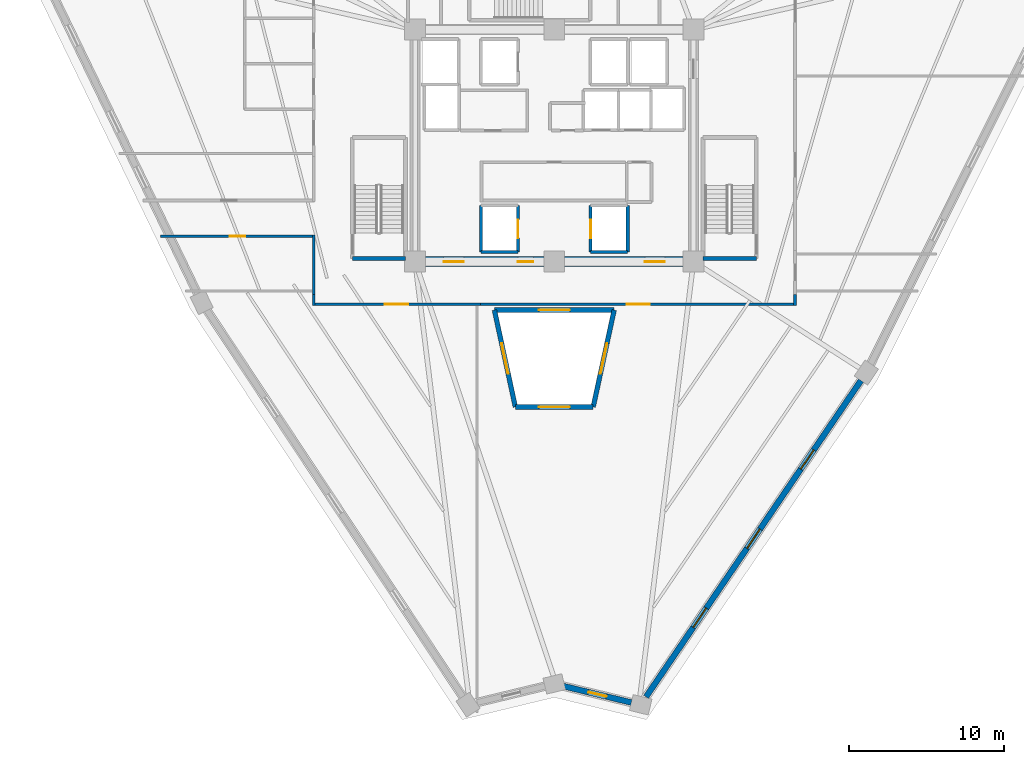
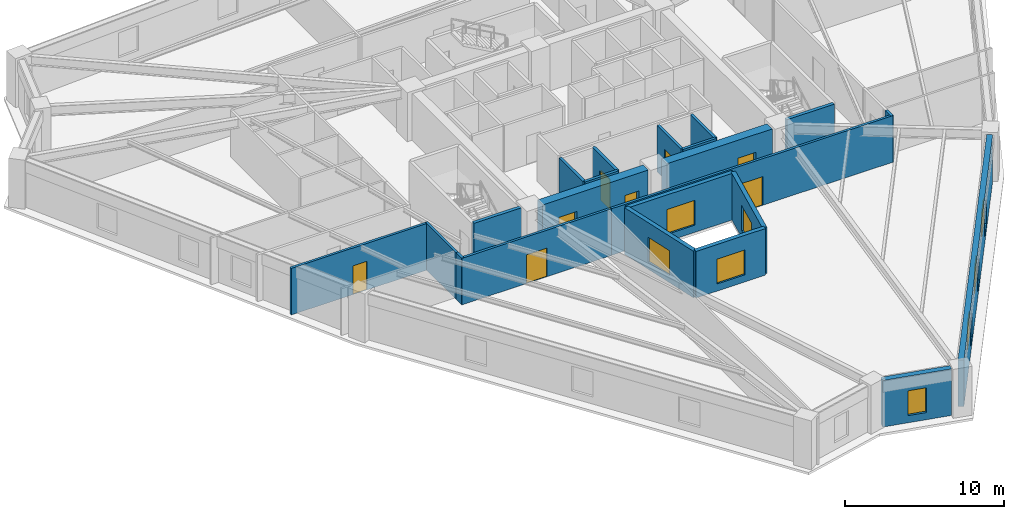
# One storey, part 3 of 8: 22 walls, 8 doors, 8 windows, 16 openings.
"""IFC4 building model written with IfcOpenShell, lengths in metres."""

from ifc_helpers import new_model, si_unit, direction, frame, frame_2d, origin, place, context, subcontext, project, spatial, rectangle, extrude, source, transform, mapped, material, layer, layer_set, type_object, element, fill, save


model = new_model("IFC4")

# Units and contexts
model_context = context("Model", 3, precision=1e-05, world=origin(), true_north=direction((0.0, 1.0)))
body_context = subcontext(model_context, "Body", "Model", "MODEL_VIEW")
ifc_project = project(units=[si_unit("LENGTHUNIT", "METRE"), si_unit("AREAUNIT", "SQUARE_METRE"), si_unit("VOLUMEUNIT", "CUBIC_METRE"), si_unit("PLANEANGLEUNIT", "RADIAN"), si_unit("MASSUNIT", "GRAM", prefix="KILO")], contexts=[model_context])

# Site, building, storey
site_placement = place(None, origin())
site = spatial("IfcSite", under=ifc_project, at=site_placement, CompositionType="ELEMENT")
building_placement = place(site_placement, origin())
building = spatial("IfcBuilding", under=site, at=building_placement, Name="Liaohun Quay Tower", CompositionType="ELEMENT")
storey_placement = place(building_placement, frame((0.0, 0.0, 198.0)))
storey = spatial("IfcBuildingStorey", under=building, at=storey_placement, Name="L51", CompositionType="ELEMENT", Elevation=198.0)

# Wall, opening, window
ifc_material_1 = material(Name="Concrete C50", Category="concrete")
ifc_layer_1 = layer(ifc_material_1, 0.300048828125, Name="Concrete C50", Category="concrete")
ifc_layer_set_1 = layer_set([ifc_layer_1], Name="Concrete C50")
wall_type_1 = type_object("IfcWallType", Name="WAL-ATR-300", PredefinedType="SOLIDWALL", material=ifc_layer_set_1)
wall_1_placement = place(storey_placement, frame((57.48291015625, 37.10009765625, 0.0), z_axis=(0.0, 0.0, 1.0), x_axis=(-0.211374063876, 0.977405240993, 0.0)))
wall_1 = element("IfcWall", 1, at=wall_1_placement, inside=storey, type_object=wall_type_1, Name="L51 Atrium Fire Compartment Wall 1", PredefinedType="SOLIDWALL", context=body_context, shape_type="SweptSolid", body=[
    extrude(rectangle(XDim=6.4150390625, YDim=0.300048828125, at=frame_2d((3.20751953125, 0.0))), origin(), (0.0, 0.0, 1.0), 3.570068359375),
])
shared_shape_1 = source(origin(), body_context, "Body", "SweptSolid", [
    extrude(rectangle(XDim=2.0, YDim=1.89990234375, at=frame_2d((1.0, 0.949951171875))), frame((0.0, 0.159912109375, 0.0), z_axis=(0.0, -1.0, 0.0), x_axis=(1.0, 0.0, 0.0)), (0.0, 0.0, 1.0), 0.320068359375),
])
opening_1_placement = place(wall_1_placement, frame((2.20703125, 0.0, 0.550048828125)))
opening_1 = element("IfcOpeningElement", 2, at=opening_1_placement, cuts=wall_1, Name="Opening W07", PredefinedType="OPENING", context=body_context, shape_type="MappedRepresentation", body=[
    mapped(shared_shape_1, transform((0.0, 0.0, 0.0), x_axis=(1.0, 0.0, 0.0), y_axis=(0.0, 1.0, 0.0), z_axis=(0.0, 0.0, 1.0), scale=1.0)),
])
ifc_material_2 = material(Name="Class A 180-min fire-resistant insulated glazing", Category="glass")
window_type_1 = type_object("IfcWindowType", Name="WIN-ATR-FIR", PartitioningType="DOUBLE_PANEL_VERTICAL", PredefinedType="WINDOW", material=ifc_material_2)
shared_shape_2 = source(origin(), body_context, "Body", "SweptSolid", [
    extrude(rectangle(XDim=2.0, YDim=1.89990234375, at=frame_2d((1.0, 0.949951171875))), frame((0.0, 0.030029296875, 0.0), z_axis=(0.0, -1.0, 0.0), x_axis=(1.0, 0.0, 0.0)), (0.0, 0.0, 1.0), 0.06005859375),
])
window_1_placement = place(opening_1_placement, origin())
window_1 = element("IfcWindow", 3, at=window_1_placement, inside=storey, type_object=window_type_1, Name="L51 Atrium Fire-Resistant Glazing W07-1", OverallHeight=1.89990234375, OverallWidth=2.0, PartitioningType="DOUBLE_PANEL_VERTICAL", PredefinedType="WINDOW", context=body_context, shape_type="MappedRepresentation", body=[
    mapped(shared_shape_2, transform((0.0, 0.0, 0.0), x_axis=(1.0, 0.0, 0.0), y_axis=(0.0, 1.0, 0.0), z_axis=(0.0, 0.0, 1.0), scale=1.0)),
])
fill(opening_1, window_1)

wall_2_placement = place(storey_placement, frame((56.126953125, 43.3701171875, 0.0), z_axis=(0.0, 0.0, 1.0), x_axis=(1.0, 0.0, 0.0)))
wall_2 = element("IfcWall", 4, at=wall_2_placement, inside=storey, type_object=wall_type_1, Name="L51 Atrium Fire Compartment Wall 2", PredefinedType="SOLIDWALL", context=body_context, shape_type="SweptSolid", body=[
    extrude(rectangle(XDim=7.74609375, YDim=0.300048828125, at=frame_2d((3.873046875, 0.0))), origin(), (0.0, 0.0, 1.0), 3.570068359375),
])
opening_2_placement = place(wall_2_placement, frame((2.873046875, 0.0, 0.550048828125)))
opening_2 = element("IfcOpeningElement", 5, at=opening_2_placement, cuts=wall_2, Name="Opening W07", PredefinedType="OPENING", context=body_context, shape_type="MappedRepresentation", body=[
    mapped(shared_shape_1, transform((0.0, 0.0, 0.0), x_axis=(1.0, 0.0, 0.0), y_axis=(0.0, 1.0, 0.0), z_axis=(0.0, 0.0, 1.0), scale=1.0)),
])
window_2_placement = place(opening_2_placement, origin())
window_2 = element("IfcWindow", 6, at=window_2_placement, inside=storey, type_object=window_type_1, Name="L51 Atrium Fire-Resistant Glazing W07-2", OverallHeight=1.89990234375, OverallWidth=2.0, PartitioningType="DOUBLE_PANEL_VERTICAL", PredefinedType="WINDOW", context=body_context, shape_type="MappedRepresentation", body=[
    mapped(shared_shape_2, transform((0.0, 0.0, 0.0), x_axis=(1.0, 0.0, 0.0), y_axis=(0.0, 1.0, 0.0), z_axis=(0.0, 0.0, 1.0), scale=1.0)),
])
fill(opening_2, window_2)

wall_3_placement = place(storey_placement, frame((63.873046875, 43.3701171875, 0.0), z_axis=(0.0, 0.0, 1.0), x_axis=(-0.211374063876, -0.977405240993, 0.0)))
wall_3 = element("IfcWall", 7, at=wall_3_placement, inside=storey, type_object=wall_type_1, Name="L51 Atrium Fire Compartment Wall 3", PredefinedType="SOLIDWALL", context=body_context, shape_type="SweptSolid", body=[
    extrude(rectangle(XDim=6.4150390625, YDim=0.300048828125, at=frame_2d((3.20751953125, 0.0))), origin(), (0.0, 0.0, 1.0), 3.570068359375),
])
opening_3_placement = place(wall_3_placement, frame((2.20703125, 0.0, 0.550048828125)))
opening_3 = element("IfcOpeningElement", 8, at=opening_3_placement, cuts=wall_3, Name="Opening W07", PredefinedType="OPENING", context=body_context, shape_type="MappedRepresentation", body=[
    mapped(shared_shape_1, transform((0.0, 0.0, 0.0), x_axis=(1.0, 0.0, 0.0), y_axis=(0.0, 1.0, 0.0), z_axis=(0.0, 0.0, 1.0), scale=1.0)),
])
window_3_placement = place(opening_3_placement, origin())
window_3 = element("IfcWindow", 9, at=window_3_placement, inside=storey, type_object=window_type_1, Name="L51 Atrium Fire-Resistant Glazing W07-3", OverallHeight=1.89990234375, OverallWidth=2.0, PartitioningType="DOUBLE_PANEL_VERTICAL", PredefinedType="WINDOW", context=body_context, shape_type="MappedRepresentation", body=[
    mapped(shared_shape_2, transform((0.0, 0.0, 0.0), x_axis=(1.0, 0.0, 0.0), y_axis=(0.0, 1.0, 0.0), z_axis=(0.0, 0.0, 1.0), scale=1.0)),
])
fill(opening_3, window_3)

wall_4_placement = place(storey_placement, frame((62.51708984375, 37.10009765625, 0.0), z_axis=(0.0, 0.0, 1.0), x_axis=(-1.0, 0.0, 0.0)))
wall_4 = element("IfcWall", 10, at=wall_4_placement, inside=storey, type_object=wall_type_1, Name="L51 Atrium Fire Compartment Wall 4", PredefinedType="SOLIDWALL", context=body_context, shape_type="SweptSolid", body=[
    extrude(rectangle(XDim=5.0341796875, YDim=0.300048828125, at=frame_2d((2.51708984375, 0.0))), origin(), (0.0, 0.0, 1.0), 3.570068359375),
])
opening_4_placement = place(wall_4_placement, frame((1.51708984375, 0.0, 0.550048828125)))
opening_4 = element("IfcOpeningElement", 11, at=opening_4_placement, cuts=wall_4, Name="Opening W07", PredefinedType="OPENING", context=body_context, shape_type="MappedRepresentation", body=[
    mapped(shared_shape_1, transform((0.0, 0.0, 0.0), x_axis=(1.0, 0.0, 0.0), y_axis=(0.0, 1.0, 0.0), z_axis=(0.0, 0.0, 1.0), scale=1.0)),
])
window_4_placement = place(opening_4_placement, origin())
window_4 = element("IfcWindow", 12, at=window_4_placement, inside=storey, type_object=window_type_1, Name="L51 Atrium Fire-Resistant Glazing W07-4", OverallHeight=1.89990234375, OverallWidth=2.0, PartitioningType="DOUBLE_PANEL_VERTICAL", PredefinedType="WINDOW", context=body_context, shape_type="MappedRepresentation", body=[
    mapped(shared_shape_2, transform((0.0, 0.0, 0.0), x_axis=(1.0, 0.0, 0.0), y_axis=(0.0, 1.0, 0.0), z_axis=(0.0, 0.0, 1.0), scale=1.0)),
])
fill(opening_4, window_4)

# Wall, opening, door
ifc_material_3 = material(Name="Concrete C55", Category="concrete")
ifc_layer_2 = layer(ifc_material_3, 0.64990234375, Name="Concrete C55", Category="concrete")
ifc_layer_set_2 = layer_set([ifc_layer_2], Name="Concrete C55")
wall_type_2 = type_object("IfcWallType", Name="WAL-COR-Z3", PredefinedType="SHEAR", material=ifc_layer_set_2)
wall_5_placement = place(storey_placement, frame((68.324951171875, 46.5, 0.0), z_axis=(0.0, 0.0, 1.0), x_axis=(-1.0, 0.0, 0.0)))
wall_5 = element("IfcWall", 13, at=wall_5_placement, inside=storey, type_object=wall_type_2, Name="L51 Central Core Shear Wall S-E", PredefinedType="SHEAR", context=body_context, shape_type="SweptSolid", body=[
    extrude(rectangle(XDim=7.64990234375, YDim=0.64990234375, at=frame_2d((3.824951171875, 0.0))), origin(), (0.0, 0.0, 1.0), 3.570068359375),
])
shared_shape_3 = source(origin(), body_context, "Body", "SweptSolid", [
    extrude(rectangle(XDim=1.300048828125, YDim=2.199951171875, at=frame_2d((0.64990234375, 1.10009765625))), frame((0.0, 0.3349609375, 0.0), z_axis=(0.0, -1.0, 0.0), x_axis=(1.0, 0.0, 0.0)), (0.0, 0.0, 1.0), 0.669921875),
])
opening_5_placement = place(wall_5_placement, frame((1.175048828125, 0.0, 0.0)))
opening_5 = element("IfcOpeningElement", 14, at=opening_5_placement, cuts=wall_5, Name="Opening FD1", PredefinedType="OPENING", context=body_context, shape_type="MappedRepresentation", body=[
    mapped(shared_shape_3, transform((0.0, 0.0, 0.0), x_axis=(1.0, 0.0, 0.0), y_axis=(0.0, 1.0, 0.0), z_axis=(0.0, 0.0, 1.0), scale=1.0)),
])
ifc_material_4 = material(Name="Galvanised steel smokeproof fire door", Category="steel")
door_type_1 = type_object("IfcDoorType", Name="DOR-FFL-1300", OperationType="NOTDEFINED", PredefinedType="DOOR", material=ifc_material_4)
shared_shape_4 = source(origin(), body_context, "Body", "SweptSolid", [
    extrude(rectangle(XDim=1.300048828125, YDim=2.199951171875, at=frame_2d((0.64990234375, 1.10009765625))), frame((0.0, 0.02490234375, 0.0), z_axis=(0.0, -1.0, 0.0), x_axis=(1.0, 0.0, 0.0)), (0.0, 0.0, 1.0), 0.050048828125),
])
door_1_placement = place(opening_5_placement, origin())
door_1 = element("IfcDoor", 15, at=door_1_placement, inside=storey, type_object=door_type_1, Name="L51 East Core Lift Lobby Smokeproof Door", OperationType="SINGLE_SWING_LEFT", OverallHeight=2.199951171875, OverallWidth=1.300048828125, PredefinedType="DOOR", context=body_context, shape_type="MappedRepresentation", body=[
    mapped(shared_shape_4, transform((0.0, 0.0, 0.0), x_axis=(1.0, 0.0, 0.0), y_axis=(0.0, 1.0, 0.0), z_axis=(0.0, 0.0, 1.0), scale=1.0)),
])
fill(opening_5, door_1)

# Wall, openings, doors
wall_6_placement = place(storey_placement, frame((59.324951171875, 46.5, 0.0), z_axis=(0.0, 0.0, 1.0), x_axis=(-1.0, 0.0, 0.0)))
wall_6 = element("IfcWall", 16, at=wall_6_placement, inside=storey, type_object=wall_type_2, Name="L51 Central Core Shear Wall S-W", PredefinedType="SHEAR", context=body_context, shape_type="SweptSolid", body=[
    extrude(rectangle(XDim=7.64990234375, YDim=0.64990234375, at=frame_2d((3.824951171875, 0.0))), origin(), (0.0, 0.0, 1.0), 3.570068359375),
])
opening_6_placement = place(wall_6_placement, frame((5.175048828125, 0.0, 0.0)))
opening_6 = element("IfcOpeningElement", 17, at=opening_6_placement, cuts=wall_6, Name="Opening FD1", PredefinedType="OPENING", context=body_context, shape_type="MappedRepresentation", body=[
    mapped(shared_shape_3, transform((0.0, 0.0, 0.0), x_axis=(1.0, 0.0, 0.0), y_axis=(0.0, 1.0, 0.0), z_axis=(0.0, 0.0, 1.0), scale=1.0)),
])
shared_shape_5 = source(origin(), body_context, "Body", "SweptSolid", [
    extrude(rectangle(XDim=1.0, YDim=2.199951171875, at=frame_2d((0.5, 1.10009765625))), frame((0.0, 0.3349609375, 0.0), z_axis=(0.0, -1.0, 0.0), x_axis=(1.0, 0.0, 0.0)), (0.0, 0.0, 1.0), 0.669921875),
])
opening_7_placement = place(wall_6_placement, frame((0.675048828125, 0.0, 0.0)))
opening_7 = element("IfcOpeningElement", 18, at=opening_7_placement, cuts=wall_6, Name="Opening FD2", PredefinedType="OPENING", context=body_context, shape_type="MappedRepresentation", body=[
    mapped(shared_shape_5, transform((0.0, 0.0, 0.0), x_axis=(1.0, 0.0, 0.0), y_axis=(0.0, 1.0, 0.0), z_axis=(0.0, 0.0, 1.0), scale=1.0)),
])
door_2_placement = place(opening_6_placement, origin())
door_2 = element("IfcDoor", 19, at=door_2_placement, inside=storey, type_object=door_type_1, Name="L51 West Core Lift Lobby Smokeproof Door", OperationType="SINGLE_SWING_RIGHT", OverallHeight=2.199951171875, OverallWidth=1.300048828125, PredefinedType="DOOR", context=body_context, shape_type="MappedRepresentation", body=[
    mapped(shared_shape_4, transform((0.0, 0.0, 0.0), x_axis=(1.0, 0.0, 0.0), y_axis=(0.0, 1.0, 0.0), z_axis=(0.0, 0.0, 1.0), scale=1.0)),
])
fill(opening_6, door_2)
ifc_material_5 = material(Name="Galvanised steel smokeproof lobby fire door", Category="steel")
door_type_2 = type_object("IfcDoorType", Name="DOR-FFL-1000", OperationType="NOTDEFINED", PredefinedType="DOOR", material=ifc_material_5)
shared_shape_6 = source(origin(), body_context, "Body", "SweptSolid", [
    extrude(rectangle(XDim=1.0, YDim=2.199951171875, at=frame_2d((0.5, 1.10009765625))), frame((0.0, 0.02490234375, 0.0), z_axis=(0.0, -1.0, 0.0), x_axis=(1.0, 0.0, 0.0)), (0.0, 0.0, 1.0), 0.050048828125),
])
door_3_placement = place(opening_7_placement, origin())
door_3 = element("IfcDoor", 20, at=door_3_placement, inside=storey, type_object=door_type_2, Name="L51 South Firefighting Lobby Smokeproof Door", OperationType="SINGLE_SWING_LEFT", OverallHeight=2.199951171875, OverallWidth=1.0, PredefinedType="DOOR", context=body_context, shape_type="MappedRepresentation", body=[
    mapped(shared_shape_6, transform((0.0, 0.0, 0.0), x_axis=(1.0, 0.0, 0.0), y_axis=(0.0, 1.0, 0.0), z_axis=(0.0, 0.0, 1.0), scale=1.0)),
])
fill(opening_7, door_3)

# Wall, opening, window
ifc_material_6 = material(Name="Precast concrete C50 insulated sandwich", Category="concrete")
ifc_layer_3 = layer(ifc_material_6, 0.3798828125, Name="Precast concrete C50 insulated sandwich", Category="concrete")
ifc_layer_set_3 = layer_set([ifc_layer_3], Name="Precast concrete C50 insulated sandwich")
wall_type_3 = type_object("IfcWallType", Name="WAL-EXT-Z34", PredefinedType="SOLIDWALL", material=ifc_layer_set_3)
wall_7_placement = place(storey_placement, frame((60.597900390625, 19.050048828125, 0.0), z_axis=(0.0, 0.0, 1.0), x_axis=(0.972002207068, -0.234971720543, 0.0)))
wall_7 = element("IfcWall", 21, at=wall_7_placement, inside=storey, type_object=wall_type_3, Name="L51 Brutalist Precast Pier Wall 01", PredefinedType="SOLIDWALL", context=body_context, shape_type="SweptSolid", body=[
    extrude(rectangle(XDim=4.515625, YDim=0.3798828125, at=frame_2d((2.2578125, 0.0))), origin(), (0.0, 0.0, 1.0), 3.570068359375),
])
shared_shape_7 = source(origin(), body_context, "Body", "SweptSolid", [
    extrude(rectangle(XDim=1.199951171875, YDim=1.89990234375, at=frame_2d((0.60009765625, 0.949951171875))), frame((0.0, 0.199951171875, 0.0), z_axis=(0.0, -1.0, 0.0), x_axis=(1.0, 0.0, 0.0)), (0.0, 0.0, 1.0), 0.39990234375),
])
opening_8_placement = place(wall_7_placement, frame((1.657958984375, 0.0, 0.550048828125)))
opening_8 = element("IfcOpeningElement", 22, at=opening_8_placement, cuts=wall_7, Name="Opening W05", PredefinedType="OPENING", context=body_context, shape_type="MappedRepresentation", body=[
    mapped(shared_shape_7, transform((0.0, 0.0, 0.0), x_axis=(1.0, 0.0, 0.0), y_axis=(0.0, 1.0, 0.0), z_axis=(0.0, 0.0, 1.0), scale=1.0)),
])
ifc_material_7 = material(Name="Triple Low-E corner notch glazing", Category="glass")
window_type_2 = type_object("IfcWindowType", Name="WIN-NOTCH", PartitioningType="SINGLE_PANEL", PredefinedType="WINDOW", material=ifc_material_7)
shared_shape_8 = source(origin(), body_context, "Body", "SweptSolid", [
    extrude(rectangle(XDim=1.199951171875, YDim=1.89990234375, at=frame_2d((0.60009765625, 0.949951171875))), frame((0.0, 0.030029296875, 0.0), z_axis=(0.0, -1.0, 0.0), x_axis=(1.0, 0.0, 0.0)), (0.0, 0.0, 1.0), 0.06005859375),
])
window_5_placement = place(opening_8_placement, origin())
window_5 = element("IfcWindow", 23, at=window_5_placement, inside=storey, type_object=window_type_2, Name="L51 Corner Notch Window W05-01", OverallHeight=1.89990234375, OverallWidth=1.199951171875, PartitioningType="SINGLE_PANEL", PredefinedType="WINDOW", context=body_context, shape_type="MappedRepresentation", body=[
    mapped(shared_shape_8, transform((0.0, 0.0, 0.0), x_axis=(1.0, 0.0, 0.0), y_axis=(0.0, 1.0, 0.0), z_axis=(0.0, 0.0, 1.0), scale=1.0)),
])
fill(opening_8, window_5)

# Wall, openings, windows
wall_8_placement = place(storey_placement, frame((65.930908203125, 18.35400390625, 0.0), z_axis=(0.0, 0.0, 1.0), x_axis=(0.561951205554, 0.827170383039, 0.0)))
wall_8 = element("IfcWall", 24, at=wall_8_placement, inside=storey, type_object=wall_type_3, Name="L51 Brutalist Precast Pier Wall 02", PredefinedType="SOLIDWALL", context=body_context, shape_type="SweptSolid", body=[
    extrude(rectangle(XDim=24.7373046875, YDim=0.3798828125, at=frame_2d((12.36865234375, 0.0))), origin(), (0.0, 0.0, 1.0), 3.570068359375),
])
shared_shape_9 = source(origin(), body_context, "Body", "SweptSolid", [
    extrude(rectangle(XDim=1.5, YDim=1.89990234375, at=frame_2d((0.75, 0.949951171875))), frame((0.0, 0.199951171875, 0.0), z_axis=(0.0, -1.0, 0.0), x_axis=(1.0, 0.0, 0.0)), (0.0, 0.0, 1.0), 0.39990234375),
])
opening_9_placement = place(wall_8_placement, frame((5.43408203125, 0.0, 0.550048828125)))
opening_9 = element("IfcOpeningElement", 25, at=opening_9_placement, cuts=wall_8, Name="Opening W03", PredefinedType="OPENING", context=body_context, shape_type="MappedRepresentation", body=[
    mapped(shared_shape_9, transform((0.0, 0.0, 0.0), x_axis=(1.0, 0.0, 0.0), y_axis=(0.0, 1.0, 0.0), z_axis=(0.0, 0.0, 1.0), scale=1.0)),
])
opening_10_placement = place(wall_8_placement, frame((11.618896484375, 0.0, 0.550048828125)))
opening_10 = element("IfcOpeningElement", 26, at=opening_10_placement, cuts=wall_8, Name="Opening W03", PredefinedType="OPENING", context=body_context, shape_type="MappedRepresentation", body=[
    mapped(shared_shape_9, transform((0.0, 0.0, 0.0), x_axis=(1.0, 0.0, 0.0), y_axis=(0.0, 1.0, 0.0), z_axis=(0.0, 0.0, 1.0), scale=1.0)),
])
opening_11_placement = place(wall_8_placement, frame((17.802978515625, 0.0, 0.550048828125)))
opening_11 = element("IfcOpeningElement", 27, at=opening_11_placement, cuts=wall_8, Name="Opening W03", PredefinedType="OPENING", context=body_context, shape_type="MappedRepresentation", body=[
    mapped(shared_shape_9, transform((0.0, 0.0, 0.0), x_axis=(1.0, 0.0, 0.0), y_axis=(0.0, 1.0, 0.0), z_axis=(0.0, 0.0, 1.0), scale=1.0)),
])
ifc_material_8 = material(Name="Triple Low-E argon glazing in thermally broken aluminium", Category="aluminium")
window_type_3 = type_object("IfcWindowType", Name="WIN-PUN-Z3", PartitioningType="DOUBLE_PANEL_VERTICAL", PredefinedType="WINDOW", material=ifc_material_8)
shared_shape_10 = source(origin(), body_context, "Body", "SweptSolid", [
    extrude(rectangle(XDim=1.5, YDim=1.89990234375, at=frame_2d((0.75, 0.949951171875))), frame((0.0, 0.030029296875, 0.0), z_axis=(0.0, -1.0, 0.0), x_axis=(1.0, 0.0, 0.0)), (0.0, 0.0, 1.0), 0.06005859375),
])
window_6_placement = place(opening_9_placement, origin())
window_6 = element("IfcWindow", 28, at=window_6_placement, inside=storey, type_object=window_type_3, Name="L51 Recessed Cold-Climate Punched Window 02-1", OverallHeight=1.89990234375, OverallWidth=1.5, PartitioningType="DOUBLE_PANEL_VERTICAL", PredefinedType="WINDOW", context=body_context, shape_type="MappedRepresentation", body=[
    mapped(shared_shape_10, transform((0.0, 0.0, 0.0), x_axis=(1.0, 0.0, 0.0), y_axis=(0.0, 1.0, 0.0), z_axis=(0.0, 0.0, 1.0), scale=1.0)),
])
fill(opening_9, window_6)
window_7_placement = place(opening_10_placement, origin())
window_7 = element("IfcWindow", 29, at=window_7_placement, inside=storey, type_object=window_type_3, Name="L51 Recessed Cold-Climate Punched Window 02-2", OverallHeight=1.89990234375, OverallWidth=1.5, PartitioningType="DOUBLE_PANEL_VERTICAL", PredefinedType="WINDOW", context=body_context, shape_type="MappedRepresentation", body=[
    mapped(shared_shape_10, transform((0.0, 0.0, 0.0), x_axis=(1.0, 0.0, 0.0), y_axis=(0.0, 1.0, 0.0), z_axis=(0.0, 0.0, 1.0), scale=1.0)),
])
fill(opening_10, window_7)
window_8_placement = place(opening_11_placement, origin())
window_8 = element("IfcWindow", 30, at=window_8_placement, inside=storey, type_object=window_type_3, Name="L51 Recessed Cold-Climate Punched Window 02-3", OverallHeight=1.89990234375, OverallWidth=1.5, PartitioningType="DOUBLE_PANEL_VERTICAL", PredefinedType="WINDOW", context=body_context, shape_type="MappedRepresentation", body=[
    mapped(shared_shape_10, transform((0.0, 0.0, 0.0), x_axis=(1.0, 0.0, 0.0), y_axis=(0.0, 1.0, 0.0), z_axis=(0.0, 0.0, 1.0), scale=1.0)),
])
fill(opening_11, window_8)

# Wall, opening, door
ifc_material_9 = material(Name="Autoclaved aerated concrete blockwork", Category="masonry")
ifc_layer_4 = layer(ifc_material_9, 0.179931640625, Name="Autoclaved aerated concrete blockwork", Category="masonry")
ifc_layer_set_4 = layer_set([ifc_layer_4], Name="Autoclaved aerated concrete blockwork")
wall_type_4 = type_object("IfcWallType", Name="WAL-PRT-COR", PredefinedType="PARTITIONING", material=ifc_layer_set_4)
wall_9_placement = place(storey_placement, frame((44.510009765625, 48.139892578125, 0.0), z_axis=(0.0, 0.0, 1.0), x_axis=(-1.0, 0.0, 0.0)))
wall_9 = element("IfcWall", 31, at=wall_9_placement, inside=storey, type_object=wall_type_4, Name="L51 Interior Partition Wall 019", PredefinedType="PARTITIONING", context=body_context, shape_type="SweptSolid", body=[
    extrude(rectangle(XDim=9.968017578125, YDim=0.179931640625, at=frame_2d((4.98388671875, 0.0))), origin(), (0.0, 0.0, 1.0), 3.570068359375),
])
shared_shape_11 = source(origin(), body_context, "Body", "SweptSolid", [
    extrude(rectangle(XDim=1.0, YDim=2.199951171875, at=frame_2d((0.5, 1.10009765625))), frame((0.0, 0.099853515625, 0.0), z_axis=(0.0, -1.0, 0.0), x_axis=(1.0, 0.0, 0.0)), (0.0, 0.0, 1.0), 0.199951171875),
])
opening_12_placement = place(wall_9_placement, frame((4.48388671875, 0.0, 0.0)))
opening_12 = element("IfcOpeningElement", 32, at=opening_12_placement, cuts=wall_9, Name="Opening OD1", PredefinedType="OPENING", context=body_context, shape_type="MappedRepresentation", body=[
    mapped(shared_shape_11, transform((0.0, 0.0, 0.0), x_axis=(1.0, 0.0, 0.0), y_axis=(0.0, 1.0, 0.0), z_axis=(0.0, 0.0, 1.0), scale=1.0)),
])
ifc_material_10 = material(Name="Solid-core oak veneer timber leaf in steel frame", Category="steel")
door_type_3 = type_object("IfcDoorType", Name="DOR-OFF-1000", OperationType="NOTDEFINED", PredefinedType="DOOR", material=ifc_material_10)
door_4_placement = place(opening_12_placement, origin())
door_4 = element("IfcDoor", 33, at=door_4_placement, inside=storey, type_object=door_type_3, Name="L51 Engineering Model Workshop 08 Door", OperationType="SINGLE_SWING_LEFT", OverallHeight=2.199951171875, OverallWidth=1.0, PredefinedType="DOOR", context=body_context, shape_type="MappedRepresentation", body=[
    mapped(shared_shape_6, transform((0.0, 0.0, 0.0), x_axis=(1.0, 0.0, 0.0), y_axis=(0.0, 1.0, 0.0), z_axis=(0.0, 0.0, 1.0), scale=1.0)),
])
fill(opening_12, door_4)

wall_10_placement = place(storey_placement, frame((55.215087890625, 43.739990234375, 0.0), z_axis=(0.0, 0.0, 1.0), x_axis=(-1.0, 0.0, 0.0)))
wall_10 = element("IfcWall", 34, at=wall_10_placement, inside=storey, type_object=wall_type_4, Name="L51 Interior Partition Wall 020", PredefinedType="PARTITIONING", context=body_context, shape_type="SweptSolid", body=[
    extrude(rectangle(XDim=10.844970703125, YDim=0.179931640625, at=frame_2d((5.42236328125, 0.0))), origin(), (0.0, 0.0, 1.0), 3.570068359375),
])
shared_shape_12 = source(origin(), body_context, "Body", "SweptSolid", [
    extrude(rectangle(XDim=1.5, YDim=2.199951171875, at=frame_2d((0.75, 1.10009765625))), frame((0.0, 0.099853515625, 0.0), z_axis=(0.0, -1.0, 0.0), x_axis=(1.0, 0.0, 0.0)), (0.0, 0.0, 1.0), 0.199951171875),
])
opening_13_placement = place(wall_10_placement, frame((4.673095703125, 0.0, 0.0)))
opening_13 = element("IfcOpeningElement", 35, at=opening_13_placement, cuts=wall_10, Name="Opening OD2", PredefinedType="OPENING", context=body_context, shape_type="MappedRepresentation", body=[
    mapped(shared_shape_12, transform((0.0, 0.0, 0.0), x_axis=(1.0, 0.0, 0.0), y_axis=(0.0, 1.0, 0.0), z_axis=(0.0, 0.0, 1.0), scale=1.0)),
])
ifc_material_11 = material(Name="Acoustic oak veneer double door")
door_type_4 = type_object("IfcDoorType", Name="DOR-OFF-1500", OperationType="DOUBLE_DOOR_SINGLE_SWING", PredefinedType="DOOR", material=ifc_material_11)
shared_shape_13 = source(origin(), body_context, "Body", "SweptSolid", [
    extrude(rectangle(XDim=1.5, YDim=2.199951171875, at=frame_2d((0.75, 1.10009765625))), frame((0.0, 0.02490234375, 0.0), z_axis=(0.0, -1.0, 0.0), x_axis=(1.0, 0.0, 0.0)), (0.0, 0.0, 1.0), 0.050048828125),
])
door_5_placement = place(opening_13_placement, origin())
door_5 = element("IfcDoor", 36, at=door_5_placement, inside=storey, type_object=door_type_4, Name="L51 Records Archive Store 09 Door", OperationType="DOUBLE_DOOR_SINGLE_SWING", OverallHeight=2.199951171875, OverallWidth=1.5, PredefinedType="DOOR", context=body_context, shape_type="MappedRepresentation", body=[
    mapped(shared_shape_13, transform((0.0, 0.0, 0.0), x_axis=(1.0, 0.0, 0.0), y_axis=(0.0, 1.0, 0.0), z_axis=(0.0, 0.0, 1.0), scale=1.0)),
])
fill(opening_13, door_5)

wall_11_placement = place(storey_placement, frame((75.6298828125, 43.739990234375, 0.0), z_axis=(0.0, 0.0, 1.0), x_axis=(-1.0, 0.0, 0.0)))
wall_11 = element("IfcWall", 37, at=wall_11_placement, inside=storey, type_object=wall_type_4, Name="L51 Interior Partition Wall 021", PredefinedType="PARTITIONING", context=body_context, shape_type="SweptSolid", body=[
    extrude(rectangle(XDim=20.414794921875, YDim=0.179931640625, at=frame_2d((10.20751953125, 0.0))), origin(), (0.0, 0.0, 1.0), 3.570068359375),
])
opening_14_placement = place(wall_11_placement, frame((9.45703125, 0.0, 0.0)))
opening_14 = element("IfcOpeningElement", 38, at=opening_14_placement, cuts=wall_11, Name="Opening OD2", PredefinedType="OPENING", context=body_context, shape_type="MappedRepresentation", body=[
    mapped(shared_shape_12, transform((0.0, 0.0, 0.0), x_axis=(1.0, 0.0, 0.0), y_axis=(0.0, 1.0, 0.0), z_axis=(0.0, 0.0, 1.0), scale=1.0)),
])
door_6_placement = place(opening_14_placement, origin())
door_6 = element("IfcDoor", 39, at=door_6_placement, inside=storey, type_object=door_type_4, Name="L51 Open-Plan Office Workplace 10 Door", OperationType="DOUBLE_DOOR_SINGLE_SWING", OverallHeight=2.199951171875, OverallWidth=1.5, PredefinedType="DOOR", context=body_context, shape_type="MappedRepresentation", body=[
    mapped(shared_shape_13, transform((0.0, 0.0, 0.0), x_axis=(1.0, 0.0, 0.0), y_axis=(0.0, 1.0, 0.0), z_axis=(0.0, 0.0, 1.0), scale=1.0)),
])
fill(opening_14, door_6)

# Walls
wall_12_placement = place(storey_placement, frame((44.43994140625, 44.385009765625, 0.0), z_axis=(0.0, 0.0, 1.0), x_axis=(0.0, 1.0, 0.0)))
element("IfcWall", 40, at=wall_12_placement, inside=storey, type_object=wall_type_4, Name="L51 Interior Partition Wall 044", PredefinedType="PARTITIONING", context=body_context, shape_type="SweptSolid", body=[
    extrude(rectangle(XDim=3.824951171875, YDim=0.179931640625, at=frame_2d((1.91259765625, 0.0))), origin(), (0.0, 0.0, 1.0), 3.570068359375),
])
for number, where, z_axis, x_axis, name in (
    (41, (44.43994140625, 43.669921875, 0.0), (0.0, 0.0, 1.0), (0.0, 1.0, 0.0), "L51 Interior Partition Wall 045"),
    (42, (75.56005859375, 44.385009765625, 0.0), (0.0, 0.0, 1.0), (0.0, -1.0, 0.0), "L51 Interior Partition Wall 046"),
):
    element("IfcWall", number, at=place(storey_placement, frame(where, z_axis=z_axis, x_axis=x_axis)), inside=storey, type_object=wall_type_4, Name=name, PredefinedType="PARTITIONING", context=body_context, shape_type="SweptSolid", body=[
        extrude(rectangle(XDim=0.715087890625, YDim=0.179931640625, at=frame_2d((0.357421875, 0.0))), origin(), (0.0, 0.0, 1.0), 3.570068359375),
    ])
ifc_layer_5 = layer(ifc_material_1, 0.239990234375, Name="Concrete C50", Category="concrete")
ifc_layer_set_5 = layer_set([ifc_layer_5], Name="Concrete C50")
wall_type_5 = type_object("IfcWallType", Name="WAL-SHF-200", PredefinedType="SOLIDWALL", material=ifc_layer_set_5)
for number, where, z_axis, x_axis, name in (
    (43, (46.93994140625, 46.699951171875, 0.0), (0.0, 0.0, 1.0), (1.0, 0.0, 0.0), "L51 Stairwell ST-1 Structural Core Wall S"),
    (44, (69.6201171875, 46.699951171875, 0.0), (0.0, 0.0, 1.0), (1.0, 0.0, 0.0), "L51 Stairwell ST-2 Structural Core Wall S"),
):
    element("IfcWall", number, at=place(storey_placement, frame(where, z_axis=z_axis, x_axis=x_axis)), inside=storey, type_object=wall_type_5, Name=name, PredefinedType="SOLIDWALL", context=body_context, shape_type="SweptSolid", body=[
        extrude(rectangle(XDim=3.43994140625, YDim=0.239990234375, at=frame_2d((1.719970703125, 0.0))), origin(), (0.0, 0.0, 1.0), 3.570068359375),
    ])
wall_13_placement = place(storey_placement, frame((55.25, 47.1201171875, 0.0), z_axis=(0.0, 0.0, 1.0), x_axis=(1.0, 0.0, 0.0)))
element("IfcWall", 45, at=wall_13_placement, inside=storey, type_object=wall_type_5, Name="L51 Lift FF-01 Hoistway Wall S", PredefinedType="SOLIDWALL", context=body_context, shape_type="SweptSolid", body=[
    extrude(rectangle(XDim=2.39990234375, YDim=0.199951171875, at=frame_2d((1.199951171875, 0.0))), origin(), (0.0, 0.0, 1.0), 3.570068359375),
])

# Wall, opening, door
wall_14_placement = place(storey_placement, frame((57.64990234375, 47.1201171875, 0.0), z_axis=(0.0, 0.0, 1.0), x_axis=(0.0, 1.0, 0.0)))
wall_14 = element("IfcWall", 46, at=wall_14_placement, inside=storey, type_object=wall_type_5, Name="L51 Lift FF-01 Hoistway Wall E", PredefinedType="SOLIDWALL", context=body_context, shape_type="SweptSolid", body=[
    extrude(rectangle(XDim=3.0, YDim=0.199951171875, at=frame_2d((1.5, 0.0))), origin(), (0.0, 0.0, 1.0), 3.570068359375),
])
shared_shape_14 = source(origin(), body_context, "Body", "SweptSolid", [
    extrude(rectangle(XDim=1.199951171875, YDim=2.300048828125, at=frame_2d((0.60009765625, 1.14990234375))), frame((0.0, 0.10986328125, 0.0), z_axis=(0.0, -1.0, 0.0), x_axis=(1.0, 0.0, 0.0)), (0.0, 0.0, 1.0), 0.219970703125),
])
opening_15_placement = place(wall_14_placement, frame((0.89990234375, 0.0, 0.0)))
opening_15 = element("IfcOpeningElement", 47, at=opening_15_placement, cuts=wall_14, Name="Opening LD2", PredefinedType="OPENING", context=body_context, shape_type="MappedRepresentation", body=[
    mapped(shared_shape_14, transform((0.0, 0.0, 0.0), x_axis=(1.0, 0.0, 0.0), y_axis=(0.0, 1.0, 0.0), z_axis=(0.0, 0.0, 1.0), scale=1.0)),
])
ifc_material_12 = material(Name="Brushed stainless steel stretcher landing door", Category="steel")
door_type_5 = type_object("IfcDoorType", Name="DOR-LFT-1200", OperationType="SLIDING_TO_LEFT", PredefinedType="DOOR", material=ifc_material_12)
shared_shape_15 = source(origin(), body_context, "Body", "SweptSolid", [
    extrude(rectangle(XDim=1.199951171875, YDim=2.300048828125, at=frame_2d((0.60009765625, 1.14990234375))), frame((0.0, 0.02490234375, 0.0), z_axis=(0.0, -1.0, 0.0), x_axis=(1.0, 0.0, 0.0)), (0.0, 0.0, 1.0), 0.050048828125),
])
door_7_placement = place(opening_15_placement, origin())
door_7 = element("IfcDoor", 48, at=door_7_placement, inside=storey, type_object=door_type_5, Name="L51 Lift FF-01 Sliding Landing Door", OperationType="SLIDING_TO_LEFT", OverallHeight=2.300048828125, OverallWidth=1.199951171875, PredefinedType="DOOR", context=body_context, shape_type="MappedRepresentation", body=[
    mapped(shared_shape_15, transform((0.0, 0.0, 0.0), x_axis=(1.0, 0.0, 0.0), y_axis=(0.0, 1.0, 0.0), z_axis=(0.0, 0.0, 1.0), scale=1.0)),
])
fill(opening_15, door_7)

# Walls
wall_15_placement = place(storey_placement, frame((55.25, 50.1201171875, 0.0), z_axis=(0.0, 0.0, 1.0), x_axis=(0.0, -1.0, 0.0)))
element("IfcWall", 49, at=wall_15_placement, inside=storey, type_object=wall_type_5, Name="L51 Lift FF-01 Hoistway Wall W", PredefinedType="SOLIDWALL", context=body_context, shape_type="SweptSolid", body=[
    extrude(rectangle(XDim=3.0, YDim=0.199951171875, at=frame_2d((1.5, 0.0))), origin(), (0.0, 0.0, 1.0), 3.570068359375),
])
wall_16_placement = place(storey_placement, frame((62.35009765625, 47.1201171875, 0.0), z_axis=(0.0, 0.0, 1.0), x_axis=(1.0, 0.0, 0.0)))
element("IfcWall", 50, at=wall_16_placement, inside=storey, type_object=wall_type_5, Name="L51 Lift FF-02 Hoistway Wall S", PredefinedType="SOLIDWALL", context=body_context, shape_type="SweptSolid", body=[
    extrude(rectangle(XDim=2.39990234375, YDim=0.199951171875, at=frame_2d((1.199951171875, 0.0))), origin(), (0.0, 0.0, 1.0), 3.570068359375),
])
wall_17_placement = place(storey_placement, frame((64.75, 47.1201171875, 0.0), z_axis=(0.0, 0.0, 1.0), x_axis=(0.0, 1.0, 0.0)))
element("IfcWall", 51, at=wall_17_placement, inside=storey, type_object=wall_type_5, Name="L51 Lift FF-02 Hoistway Wall E", PredefinedType="SOLIDWALL", context=body_context, shape_type="SweptSolid", body=[
    extrude(rectangle(XDim=3.0, YDim=0.199951171875, at=frame_2d((1.5, 0.0))), origin(), (0.0, 0.0, 1.0), 3.570068359375),
])

# Wall, opening, door
wall_18_placement = place(storey_placement, frame((62.35009765625, 50.1201171875, 0.0), z_axis=(0.0, 0.0, 1.0), x_axis=(0.0, -1.0, 0.0)))
wall_18 = element("IfcWall", 52, at=wall_18_placement, inside=storey, type_object=wall_type_5, Name="L51 Lift FF-02 Hoistway Wall W", PredefinedType="SOLIDWALL", context=body_context, shape_type="SweptSolid", body=[
    extrude(rectangle(XDim=3.0, YDim=0.199951171875, at=frame_2d((1.5, 0.0))), origin(), (0.0, 0.0, 1.0), 3.570068359375),
])
opening_16_placement = place(wall_18_placement, frame((0.89990234375, 0.0, 0.0)))
opening_16 = element("IfcOpeningElement", 53, at=opening_16_placement, cuts=wall_18, Name="Opening LD2", PredefinedType="OPENING", context=body_context, shape_type="MappedRepresentation", body=[
    mapped(shared_shape_14, transform((0.0, 0.0, 0.0), x_axis=(1.0, 0.0, 0.0), y_axis=(0.0, 1.0, 0.0), z_axis=(0.0, 0.0, 1.0), scale=1.0)),
])
door_8_placement = place(opening_16_placement, origin())
door_8 = element("IfcDoor", 54, at=door_8_placement, inside=storey, type_object=door_type_5, Name="L51 Lift FF-02 Sliding Landing Door", OperationType="SLIDING_TO_LEFT", OverallHeight=2.300048828125, OverallWidth=1.199951171875, PredefinedType="DOOR", context=body_context, shape_type="MappedRepresentation", body=[
    mapped(shared_shape_15, transform((0.0, 0.0, 0.0), x_axis=(1.0, 0.0, 0.0), y_axis=(0.0, 1.0, 0.0), z_axis=(0.0, 0.0, 1.0), scale=1.0)),
])
fill(opening_16, door_8)

save(model, "model.ifc")
